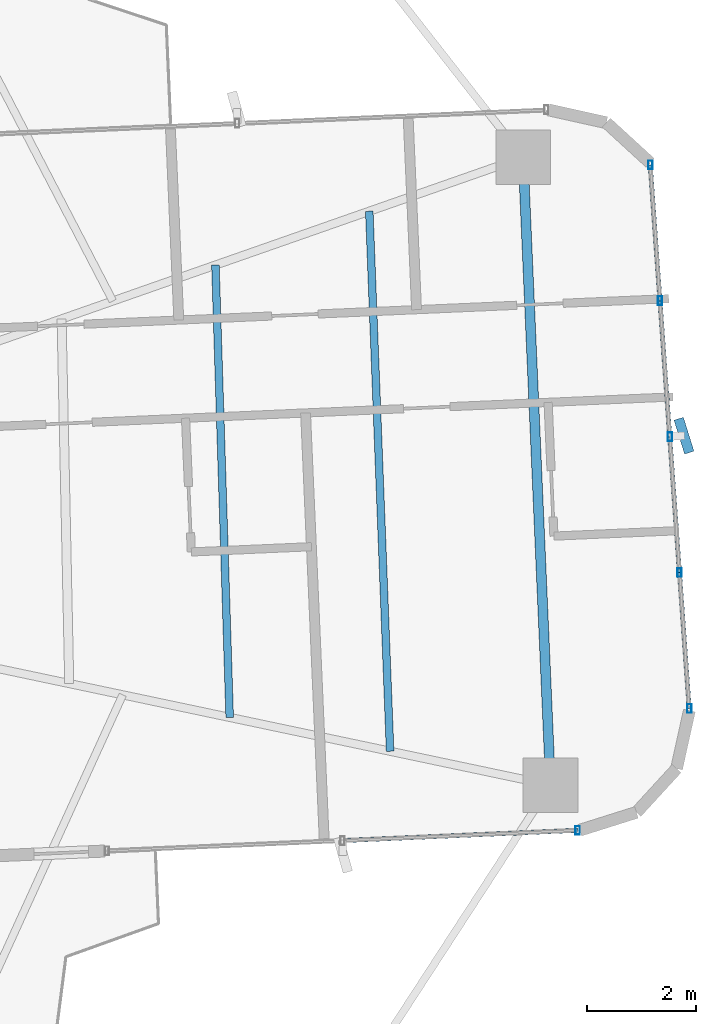
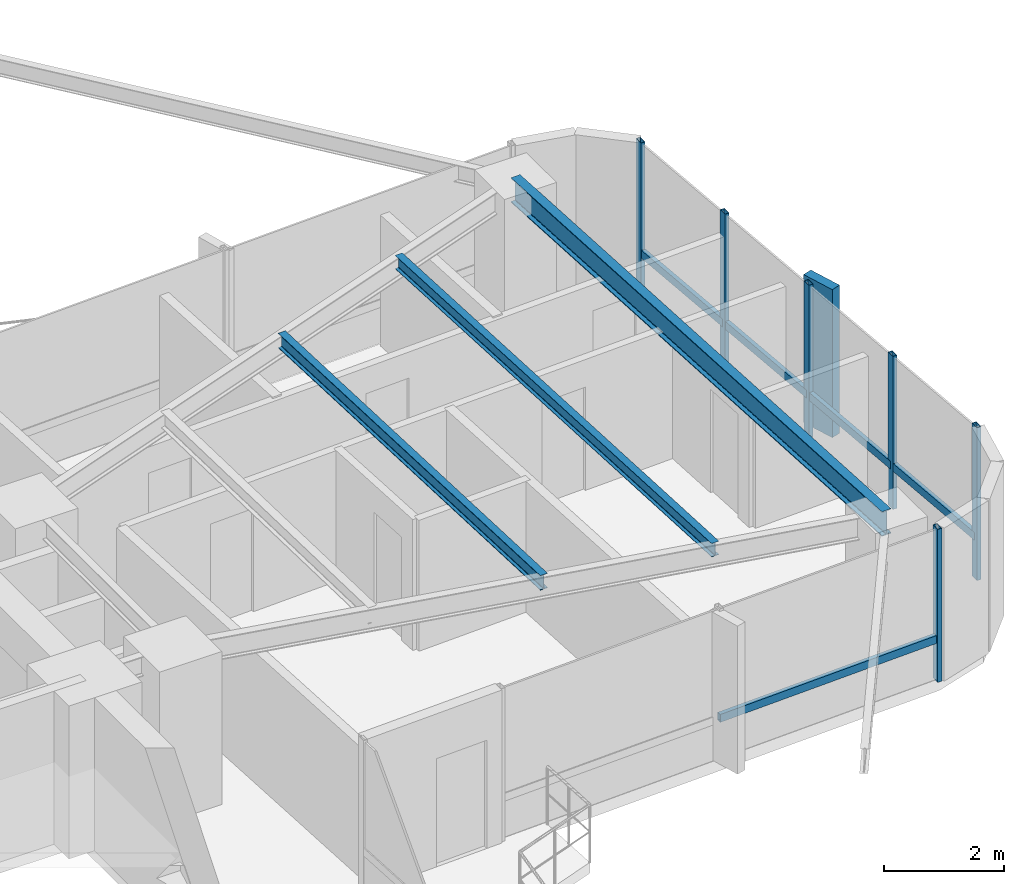
# One storey, part 15 of 26: 12 members, 3 beams, 2 elements without a shape of their own.
"""IFC4 building model written with IfcOpenShell, lengths in metres."""

from ifc_helpers import new_model, si_unit, direction, frame, origin, origin_2d, place, context, subcontext, project, spatial, rectangle, hollow_rectangle, i_section, extrude, source, transform, mapped, material, material_profile, profile_set, type_object, element, aggregate, save


model = new_model("IFC4")

# Units and contexts
model_context = context("Model", 3, precision=1e-05, world=origin(), true_north=direction((0.0, 1.0)))
body_context = subcontext(model_context, "Body", "Model", "MODEL_VIEW")
ifc_project = project(units=[si_unit("LENGTHUNIT", "METRE"), si_unit("AREAUNIT", "SQUARE_METRE"), si_unit("VOLUMEUNIT", "CUBIC_METRE"), si_unit("PLANEANGLEUNIT", "RADIAN"), si_unit("MASSUNIT", "GRAM", prefix="KILO")], contexts=[model_context])

# Site, building, storey
site_placement = place(None, origin())
site = spatial("IfcSite", under=ifc_project, at=site_placement, CompositionType="ELEMENT")
building_placement = place(site_placement, origin())
building = spatial("IfcBuilding", under=site, at=building_placement, Name="Sahyath Konkavel Grand Hotel", CompositionType="ELEMENT")
storey_placement = place(building_placement, frame((0.0, 0.0, 83.5)))
storey = spatial("IfcBuildingStorey", under=building, at=storey_placement, Name="L22", CompositionType="ELEMENT", Elevation=83.5)

# Beams
ifc_material_1 = material(Name="Steel E350", Category="steel")
ifc_material_profile_1 = material_profile(ifc_material_1, i_section(OverallWidth=0.179931640625, OverallDepth=0.5, WebThickness=0.01025390625, FlangeThickness=0.01708984375, FilletRadius=0.01708984375, at=origin_2d()), Name="ISMB 500")
ifc_profile_set_1 = profile_set([ifc_material_profile_1], Name="Steel E350")
beam_type_1 = type_object("IfcBeamType", Name="BM-ISMB500", PredefinedType="BEAM", material=ifc_profile_set_1)
shared_shape_1 = source(origin(), body_context, "Body", "SweptSolid", [
    extrude(i_section(OverallWidth=0.179931640625, OverallDepth=0.5, WebThickness=0.01025390625, FlangeThickness=0.01708984375, FilletRadius=0.01708984375, at=origin_2d()), origin(), (0.0, 0.0, 1.0), 11.5),
])
beam_1_placement = place(storey_placement, frame((17.734130859375, -4.981201171875, 2.860107421875), z_axis=(-0.043627008892, 0.99904788879, 0.0), x_axis=(-0.99904788879, -0.043627008892, 0.0)))
element("IfcBeam", 1, at=beam_1_placement, inside=storey, type_object=beam_type_1, Name="L22 Wing Tip Edge Beam E", PredefinedType="BEAM", context=body_context, shape_type="MappedRepresentation", body=[
    mapped(shared_shape_1, transform((0.0, 0.0, 0.0), scale=1.0)),
])
ifc_material_profile_2 = material_profile(ifc_material_1, i_section(OverallWidth=0.139892578125, OverallDepth=0.300048828125, WebThickness=0.0078125, FlangeThickness=0.01318359375, FilletRadius=0.013916015625, at=origin_2d()), Name="ISMB 300")
ifc_profile_set_2 = profile_set([ifc_material_profile_2], Name="Steel E350")
beam_type_2 = type_object("IfcBeamType", Name="BM-ISMB300", PredefinedType="BEAM", material=ifc_profile_set_2)
shared_shape_2 = source(origin(), body_context, "Body", "SweptSolid", [
    extrude(i_section(OverallWidth=0.139892578125, OverallDepth=0.300048828125, WebThickness=0.0078125, FlangeThickness=0.01318359375, FilletRadius=0.013916015625, at=origin_2d()), origin(), (0.0, 0.0, 1.0), 8.282470703125),
])
beam_2_placement = place(storey_placement, frame((11.86181640625, -3.7421875, 2.9599609375), z_axis=(-0.031510827707, 0.999503410568, 0.0), x_axis=(-0.999503410568, -0.031510827707, 0.0)))
element("IfcBeam", 2, at=beam_2_placement, inside=storey, type_object=beam_type_2, Name="L22 Secondary Floor Beam E-2", PredefinedType="BEAM", context=body_context, shape_type="MappedRepresentation", body=[
    mapped(shared_shape_2, transform((0.0, 0.0, 0.0), scale=1.0)),
])
ifc_material_profile_3 = material_profile(ifc_material_1, i_section(OverallWidth=0.139892578125, OverallDepth=0.27490234375, WebThickness=0.00634765625, FlangeThickness=0.0087890625, FilletRadius=0.012939453125, at=origin_2d()), Name="ISLB 275")
ifc_profile_set_3 = profile_set([ifc_material_profile_3], Name="Steel E350")
beam_type_3 = type_object("IfcBeamType", Name="BM-ISLB275", PredefinedType="BEAM", material=ifc_profile_set_3)
shared_shape_3 = source(origin(), body_context, "Body", "SweptSolid", [
    extrude(i_section(OverallWidth=0.139892578125, OverallDepth=0.27490234375, WebThickness=0.00634765625, FlangeThickness=0.0087890625, FilletRadius=0.012939453125, at=origin_2d()), origin(), (0.0, 0.0, 1.0), 9.89111328125),
])
beam_3_placement = place(storey_placement, frame((14.798095703125, -4.36181640625, 2.972412109375), z_axis=(-0.03855445741, 0.999256500511, 0.0), x_axis=(-0.999256500511, -0.03855445741, 0.0)))
element("IfcBeam", 3, at=beam_3_placement, inside=storey, type_object=beam_type_3, Name="L22 Secondary Floor Beam E-3", PredefinedType="BEAM", context=body_context, shape_type="MappedRepresentation", body=[
    mapped(shared_shape_3, transform((0.0, 0.0, 0.0), scale=1.0)),
])

# Curtain wall, member
ifc_material_2 = material(Name="Anodised Bronze Aluminium & Low-E Glazing", Category="aluminium")
curtain_wall_type = type_object("IfcCurtainWallType", Name="CW-ZONE2", PredefinedType="NOTDEFINED", material=ifc_material_2)
curtain_wall_1_placement = place(storey_placement, origin())
curtain_wall_1 = element("IfcCurtainWall", 4, at=curtain_wall_1_placement, inside=storey, type_object=curtain_wall_type, Name="L22 Unitised Curtain Wall F4", PredefinedType="NOTDEFINED")
ifc_material_3 = material(Name="Warm Buff Sandstone Cladding on Concrete C50/60", Category="masonry")
ifc_material_profile_4 = material_profile(ifc_material_3, rectangle(XDim=0.179931640625, YDim=0.64990234375, at=origin_2d()), Name="FIN 180x650")
ifc_profile_set_4 = profile_set([ifc_material_profile_4], Name="Warm Buff Sandstone Cladding on Concrete C50/60")
member_type_1 = type_object("IfcMemberType", Name="FIN-SANDSTONE-650", PredefinedType="MULLION", material=ifc_profile_set_4)
shared_shape_4 = source(origin(), body_context, "Body", "SweptSolid", [
    extrude(rectangle(XDim=0.179931640625, YDim=0.64990234375, at=origin_2d()), origin(), (0.0, 0.0, 1.0), 3.010009765625),
])
member_1_placement = place(storey_placement, frame((20.1767578125, 1.413818359375, 0.050048828125), z_axis=(0.0, 0.0, 1.0), x_axis=(0.954448865814, 0.298374534012, 0.0)))
member_1 = element("IfcMember", 5, at=member_1_placement, type_object=member_type_1, Name="L22 Sandstone Vertical Solar Fin FIN F4-2", PredefinedType="MULLION", context=body_context, shape_type="MappedRepresentation", body=[
    mapped(shared_shape_4, transform((0.0, 0.0, 0.0), scale=1.0)),
])

curtain_wall_2_placement = place(storey_placement, origin())
curtain_wall_2 = element("IfcCurtainWall", 6, at=curtain_wall_2_placement, inside=storey, type_object=curtain_wall_type, Name="L22 Unitised Curtain Wall F0", PredefinedType="NOTDEFINED")
ifc_material_4 = material(Name="Anodised Bronze Aluminium", Category="aluminium")
ifc_material_profile_5 = material_profile(ifc_material_4, hollow_rectangle(XDim=0.080078125, YDim=0.159912109375, WallThickness=0.006103515625, at=origin_2d()), Name="RHS 160x80x6")
ifc_profile_set_5 = profile_set([ifc_material_profile_5], Name="Anodised Bronze Aluminium")
member_type_2 = type_object("IfcMemberType", Name="CW-MUL-160", PredefinedType="MULLION", material=ifc_profile_set_5)
shared_shape_5 = source(origin(), body_context, "Body", "SweptSolid", [
    extrude(hollow_rectangle(XDim=0.080078125, YDim=0.159912109375, WallThickness=0.006103515625, at=origin_2d()), origin(), (0.0, 0.0, 1.0), 3.110107421875),
])
member_2_placement = place(storey_placement, frame((18.230712890625, -5.810302734375, 0.0), z_axis=(0.0, 0.0, 1.0), x_axis=(1.0, 0.0, 0.0)))
member_2 = element("IfcMember", 7, at=member_2_placement, type_object=member_type_2, Name="L22 Curtain Wall Mullion F0-2", PredefinedType="MULLION", context=body_context, shape_type="MappedRepresentation", body=[
    mapped(shared_shape_5, transform((0.0, 0.0, 0.0), scale=1.0)),
])

# Member
member_3_placement = place(storey_placement, frame((20.2744140625, -3.5791015625, 0.0), z_axis=(0.0, 0.0, 1.0), x_axis=(1.0, 0.0, 0.0)))
member_3 = element("IfcMember", 8, at=member_3_placement, type_object=member_type_2, Name="L22 Curtain Wall Mullion F4-0", PredefinedType="MULLION", context=body_context, shape_type="MappedRepresentation", body=[
    mapped(shared_shape_5, transform((0.0, 0.0, 0.0), scale=1.0)),
])

member_4_placement = place(storey_placement, frame((20.095947265625, -1.092041015625, 0.0), z_axis=(0.0, 0.0, 1.0), x_axis=(1.0, 0.0, 0.0)))
member_4 = element("IfcMember", 9, at=member_4_placement, type_object=member_type_2, Name="L22 Curtain Wall Mullion F4-1", PredefinedType="MULLION", context=body_context, shape_type="MappedRepresentation", body=[
    mapped(shared_shape_5, transform((0.0, 0.0, 0.0), scale=1.0)),
])

member_5_placement = place(storey_placement, frame((19.91748046875, 1.39501953125, 0.0), z_axis=(0.0, 0.0, 1.0), x_axis=(1.0, 0.0, 0.0)))
member_5 = element("IfcMember", 10, at=member_5_placement, type_object=member_type_2, Name="L22 Curtain Wall Mullion F4-2", PredefinedType="MULLION", context=body_context, shape_type="MappedRepresentation", body=[
    mapped(shared_shape_5, transform((0.0, 0.0, 0.0), scale=1.0)),
])

member_6_placement = place(storey_placement, frame((19.739013671875, 3.882080078125, 0.0), z_axis=(0.0, 0.0, 1.0), x_axis=(1.0, 0.0, 0.0)))
member_6 = element("IfcMember", 11, at=member_6_placement, type_object=member_type_2, Name="L22 Curtain Wall Mullion F4-3", PredefinedType="MULLION", context=body_context, shape_type="MappedRepresentation", body=[
    mapped(shared_shape_5, transform((0.0, 0.0, 0.0), scale=1.0)),
])

member_7_placement = place(storey_placement, frame((19.560546875, 6.369384765625, 0.0), z_axis=(0.0, 0.0, 1.0), x_axis=(1.0, 0.0, 0.0)))
member_7 = element("IfcMember", 12, at=member_7_placement, type_object=member_type_2, Name="L22 Curtain Wall Mullion F4-4", PredefinedType="MULLION", context=body_context, shape_type="MappedRepresentation", body=[
    mapped(shared_shape_5, transform((0.0, 0.0, 0.0), scale=1.0)),
])

ifc_material_profile_6 = material_profile(ifc_material_4, hollow_rectangle(XDim=0.080078125, YDim=0.159912109375, WallThickness=0.006103515625, at=origin_2d()), Name="RHS 160x80x6")
ifc_profile_set_6 = profile_set([ifc_material_profile_6], Name="Anodised Bronze Aluminium")
member_type_3 = type_object("IfcMemberType", Name="CW-TRN-160", PredefinedType="USERDEFINED", material=ifc_profile_set_6)
shared_shape_6 = source(origin(), body_context, "Body", "SweptSolid", [
    extrude(hollow_rectangle(XDim=0.080078125, YDim=0.159912109375, WallThickness=0.006103515625, at=origin_2d()), origin(), (0.0, 0.0, 1.0), 4.31005859375),
])
member_8_placement = place(storey_placement, frame((13.9248046875, -5.998291015625, 0.85009765625), z_axis=(0.999048340188, 0.043616670746, 0.0), x_axis=(-0.043616670746, 0.999048340188, 0.0)))
member_8 = element("IfcMember", 13, at=member_8_placement, type_object=member_type_3, Name="L22 Curtain Wall Transom F0-1-spandrel", ObjectType="TRANSOM", PredefinedType="USERDEFINED", context=body_context, shape_type="MappedRepresentation", body=[
    mapped(shared_shape_6, transform((0.0, 0.0, 0.0), scale=1.0)),
])

aggregate(curtain_wall_2, [member_2, member_8])

shared_shape_7 = source(origin(), body_context, "Body", "SweptSolid", [
    extrude(hollow_rectangle(XDim=0.080078125, YDim=0.159912109375, WallThickness=0.006103515625, at=origin_2d()), origin(), (0.0, 0.0, 1.0), 2.493408203125),
])
member_9_placement = place(storey_placement, frame((20.2744140625, -3.5791015625, 0.85009765625), z_axis=(-0.071574084062, 0.997435286367, 0.0), x_axis=(-0.997435286367, -0.071574084062, 0.0)))
member_9 = element("IfcMember", 14, at=member_9_placement, type_object=member_type_3, Name="L22 Curtain Wall Transom F4-0-spandrel", ObjectType="TRANSOM", PredefinedType="USERDEFINED", context=body_context, shape_type="MappedRepresentation", body=[
    mapped(shared_shape_7, transform((0.0, 0.0, 0.0), scale=1.0)),
])

member_10_placement = place(storey_placement, frame((20.095947265625, -1.092041015625, 0.85009765625), z_axis=(-0.071574084062, 0.997435286367, 0.0), x_axis=(-0.997435286367, -0.071574084062, 0.0)))
member_10 = element("IfcMember", 15, at=member_10_placement, type_object=member_type_3, Name="L22 Curtain Wall Transom F4-1-spandrel", ObjectType="TRANSOM", PredefinedType="USERDEFINED", context=body_context, shape_type="MappedRepresentation", body=[
    mapped(shared_shape_7, transform((0.0, 0.0, 0.0), scale=1.0)),
])

member_11_placement = place(storey_placement, frame((19.91748046875, 1.39501953125, 0.85009765625), z_axis=(-0.071574084062, 0.997435286367, 0.0), x_axis=(-0.997435286367, -0.071574084062, 0.0)))
member_11 = element("IfcMember", 16, at=member_11_placement, type_object=member_type_3, Name="L22 Curtain Wall Transom F4-2-spandrel", ObjectType="TRANSOM", PredefinedType="USERDEFINED", context=body_context, shape_type="MappedRepresentation", body=[
    mapped(shared_shape_7, transform((0.0, 0.0, 0.0), scale=1.0)),
])

shared_shape_8 = source(origin(), body_context, "Body", "SweptSolid", [
    extrude(hollow_rectangle(XDim=0.080078125, YDim=0.159912109375, WallThickness=0.006103515625, at=origin_2d()), origin(), (0.0, 0.0, 1.0), 2.49365234375),
])
member_12_placement = place(storey_placement, frame((19.739013671875, 3.882080078125, 0.85009765625), z_axis=(-0.071567094714, 0.997435787885, 0.0), x_axis=(-0.997435787885, -0.071567094714, 0.0)))
member_12 = element("IfcMember", 17, at=member_12_placement, type_object=member_type_3, Name="L22 Curtain Wall Transom F4-3-spandrel", ObjectType="TRANSOM", PredefinedType="USERDEFINED", context=body_context, shape_type="MappedRepresentation", body=[
    mapped(shared_shape_8, transform((0.0, 0.0, 0.0), scale=1.0)),
])

aggregate(curtain_wall_1, [member_3, member_4, member_5, member_1, member_6, member_7, member_9, member_10, member_11, member_12])

save(model, "model.ifc")
